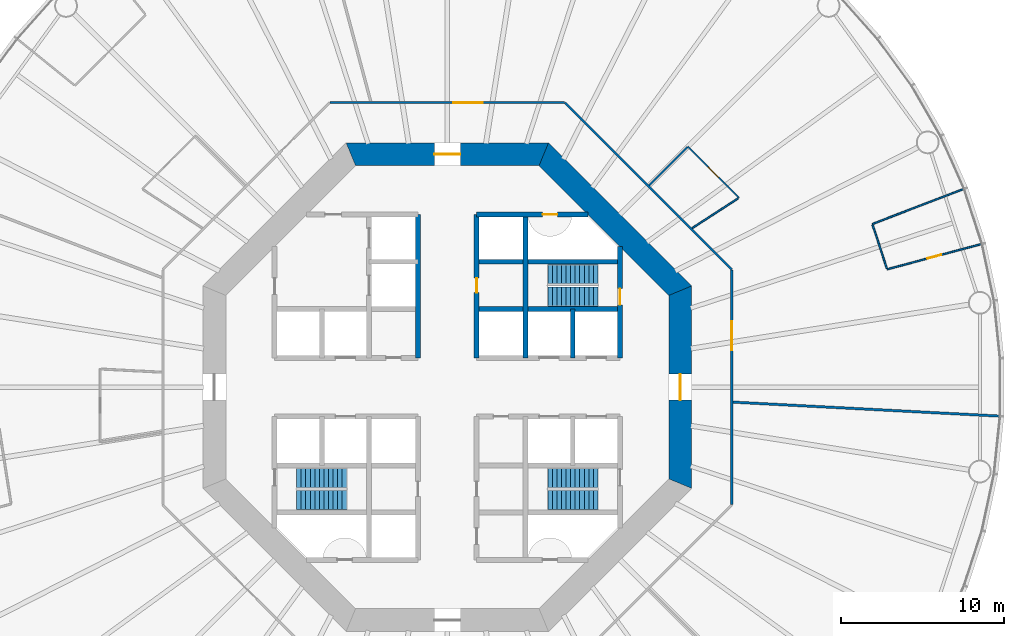
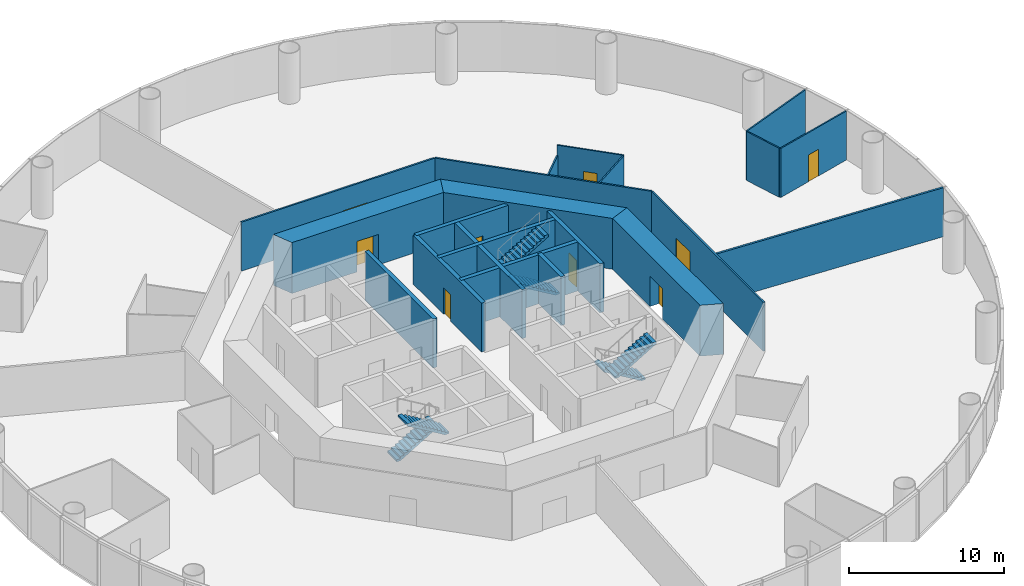
# One storey, part 5 of 12: 21 walls, 9 doors, 6 stair flights, 9 openings, 3 elements without a shape of their own.
"""IFC4 building model written with IfcOpenShell, lengths in metres."""

from ifc_helpers import new_model, si_unit, direction, frame, frame_2d, origin, place, context, subcontext, project, spatial, polyline, rectangle, outline, extrude, material, layer, layer_set, type_object, element, fill, aggregate, save


model = new_model("IFC4")

# Units and contexts
model_context = context("Model", 3, precision=1e-05, world=origin(), true_north=direction((0.0, 1.0)))
body_context = subcontext(model_context, "Body", "Model", "MODEL_VIEW")
ifc_project = project(units=[si_unit("LENGTHUNIT", "METRE"), si_unit("AREAUNIT", "SQUARE_METRE"), si_unit("VOLUMEUNIT", "CUBIC_METRE"), si_unit("PLANEANGLEUNIT", "RADIAN"), si_unit("MASSUNIT", "GRAM", prefix="KILO")], contexts=[model_context])

# Site, building, storey
site_placement = place(None, origin())
site = spatial("IfcSite", under=ifc_project, at=site_placement, CompositionType="ELEMENT")
building_placement = place(site_placement, origin())
building = spatial("IfcBuilding", under=site, at=building_placement, Name="Entoto Ring Tower", CompositionType="ELEMENT")
storey_placement = place(building_placement, frame((0.0, 0.0, 66.0)))
storey = spatial("IfcBuildingStorey", under=building, at=storey_placement, Name="L14", CompositionType="ELEMENT", Elevation=66.0)

# Wall, opening, door
ifc_material_1 = material(Name="Concrete C40/50", Category="concrete")
ifc_layer_1 = layer(ifc_material_1, 0.300048828125)
ifc_layer_set_1 = layer_set([ifc_layer_1], Name="Concrete C40/50")
wall_type_1 = type_object("IfcWallType", Name="Core enclosure wall 300 mm reinforced concrete", PredefinedType="SOLIDWALL", material=ifc_layer_set_1)
wall_1_placement = place(storey_placement, frame((100.60009765625, 81.800048828125, 0.0), z_axis=(0.0, 0.0, 1.0), x_axis=(0.0, 1.0, 0.0)))
wall_1 = element("IfcWall", 1, at=wall_1_placement, inside=storey, type_object=wall_type_1, Name="wall-L14-002", PredefinedType="SOLIDWALL", context=body_context, shape_type="SweptSolid", body=[
    extrude(rectangle(XDim=6.833251953125, YDim=0.300048828125, at=frame_2d((3.41650390625, 0.0))), origin(), (0.0, 0.0, 1.0), 3.85009765625),
])
opening_1_placement = place(wall_1_placement, frame((3.25, 0.0, 0.0)))
opening_1 = element("IfcOpeningElement", 2, at=opening_1_placement, cuts=wall_1, Name="Opening K-17", PredefinedType="OPENING", context=body_context, shape_type="SweptSolid", body=[
    extrude(rectangle(XDim=1.0, YDim=2.10009765625, at=frame_2d((0.5, 1.050048828125))), frame((0.0, 0.16015625, 0.0), z_axis=(0.0, -1.0, 0.0), x_axis=(1.0, 0.0, 0.0)), (0.0, 0.0, 1.0), 0.320068359375),
])
ifc_material_2 = material(Name="Steel door leaf, fire rated", Category="steel")
ifc_layer_2 = layer(ifc_material_2, 0.050048828125)
ifc_layer_set_2 = layer_set([ifc_layer_2], Name="Steel door leaf, fire rated")
door_type_1 = type_object("IfcDoorType", Name="Fire door FD60 1000 x 2100 single leaf", OperationType="NOTDEFINED", PredefinedType="DOOR", material=ifc_layer_set_2)
door_1_placement = place(opening_1_placement, origin())
door_1 = element("IfcDoor", 3, at=door_1_placement, inside=storey, type_object=door_type_1, Name="Door K-17", OperationType="SINGLE_SWING_LEFT", OverallHeight=2.10009765625, OverallWidth=1.0, PredefinedType="DOOR", context=body_context, shape_type="SweptSolid", body=[
    extrude(rectangle(XDim=1.0, YDim=2.10009765625, at=frame_2d((0.5, 1.050048828125))), frame((0.0, 0.02490234375, 0.0), z_axis=(0.0, -1.0, 0.0), x_axis=(1.0, 0.0, 0.0)), (0.0, 0.0, 1.0), 0.050048828125),
])
fill(opening_1, door_1)

# Walls
wall_2_placement = place(storey_placement, frame((97.699951171875, 81.800048828125, 0.0), z_axis=(0.0, 0.0, 1.0), x_axis=(0.0, 1.0, 0.0)))
element("IfcWall", 4, at=wall_2_placement, inside=storey, type_object=wall_type_1, Name="wall-L14-004", PredefinedType="SOLIDWALL", context=body_context, shape_type="SweptSolid", body=[
    extrude(rectangle(XDim=3.0, YDim=0.300048828125, at=frame_2d((1.5, 0.0))), origin(), (0.0, 0.0, 1.0), 3.85009765625),
])
wall_3_placement = place(storey_placement, frame((94.800048828125, 81.800048828125, 0.0), z_axis=(0.0, 0.0, 1.0), x_axis=(0.0, 1.0, 0.0)))
element("IfcWall", 5, at=wall_3_placement, inside=storey, type_object=wall_type_1, Name="wall-L14-006", PredefinedType="SOLIDWALL", context=body_context, shape_type="SweptSolid", body=[
    extrude(rectangle(XDim=8.800048828125, YDim=0.300048828125, at=frame_2d((4.39990234375, 0.0))), origin(), (0.0, 0.0, 1.0), 3.85009765625),
])

# Wall, opening, door
wall_4_placement = place(storey_placement, frame((91.800048828125, 81.800048828125, 0.0), z_axis=(0.0, 0.0, 1.0), x_axis=(0.0, 1.0, 0.0)))
wall_4 = element("IfcWall", 6, at=wall_4_placement, inside=storey, type_object=wall_type_1, Name="wall-L14-008", PredefinedType="SOLIDWALL", context=body_context, shape_type="SweptSolid", body=[
    extrude(rectangle(XDim=8.800048828125, YDim=0.300048828125, at=frame_2d((4.39990234375, 0.0))), origin(), (0.0, 0.0, 1.0), 3.85009765625),
])
opening_2_placement = place(wall_4_placement, frame((4.0, 0.0, 0.0)))
opening_2 = element("IfcOpeningElement", 7, at=opening_2_placement, cuts=wall_4, Name="Opening K-11", PredefinedType="OPENING", context=body_context, shape_type="SweptSolid", body=[
    extrude(rectangle(XDim=0.89990234375, YDim=2.10009765625, at=frame_2d((0.449951171875, 1.050048828125))), frame((0.0, 0.16015625, 0.0), z_axis=(0.0, -1.0, 0.0), x_axis=(1.0, 0.0, 0.0)), (0.0, 0.0, 1.0), 0.320068359375),
])
ifc_material_3 = material(Name="Steel door leaf, fire rated", Category="steel")
ifc_layer_3 = layer(ifc_material_3, 0.050048828125)
ifc_layer_set_3 = layer_set([ifc_layer_3], Name="Steel door leaf, fire rated")
door_type_2 = type_object("IfcDoorType", Name="Core door 900 x 2100 single leaf", OperationType="NOTDEFINED", PredefinedType="DOOR", material=ifc_layer_set_3)
door_2_placement = place(opening_2_placement, origin())
door_2 = element("IfcDoor", 8, at=door_2_placement, inside=storey, type_object=door_type_2, Name="Door K-11", OperationType="SINGLE_SWING_RIGHT", OverallHeight=2.10009765625, OverallWidth=0.89990234375, PredefinedType="DOOR", context=body_context, shape_type="SweptSolid", body=[
    extrude(rectangle(XDim=0.89990234375, YDim=2.10009765625, at=frame_2d((0.449951171875, 1.050048828125))), frame((0.0, 0.02490234375, 0.0), z_axis=(0.0, -1.0, 0.0), x_axis=(1.0, 0.0, 0.0)), (0.0, 0.0, 1.0), 0.050048828125),
])
fill(opening_2, door_2)

# Walls
for number, where, z_axis, x_axis, name in (
    (9, (88.199951171875, 81.800048828125, 0.0), (0.0, 0.0, 1.0), (0.0, 1.0, 0.0), "wall-L14-010"),
    (10, (91.800048828125, 84.800048828125, 0.0), (0.0, 0.0, 1.0), (1.0, 0.0, 0.0), "wall-L14-028"),
    (11, (91.800048828125, 87.699951171875, 0.0), (0.0, 0.0, 1.0), (1.0, 0.0, 0.0), "wall-L14-030"),
):
    element("IfcWall", number, at=place(storey_placement, frame(where, z_axis=z_axis, x_axis=x_axis)), inside=storey, type_object=wall_type_1, Name=name, PredefinedType="SOLIDWALL", context=body_context, shape_type="SweptSolid", body=[
        extrude(rectangle(XDim=8.800048828125, YDim=0.300048828125, at=frame_2d((4.39990234375, 0.0))), origin(), (0.0, 0.0, 1.0), 3.85009765625),
    ])

# Wall, opening, door
wall_5_placement = place(storey_placement, frame((91.800048828125, 90.60009765625, 0.0), z_axis=(0.0, 0.0, 1.0), x_axis=(1.0, 0.0, 0.0)))
wall_5 = element("IfcWall", 12, at=wall_5_placement, inside=storey, type_object=wall_type_1, Name="wall-L14-032", PredefinedType="SOLIDWALL", context=body_context, shape_type="SweptSolid", body=[
    extrude(rectangle(XDim=6.833251953125, YDim=0.300048828125, at=frame_2d((3.41650390625, 0.0))), origin(), (0.0, 0.0, 1.0), 3.85009765625),
])
opening_3_placement = place(wall_5_placement, frame((4.050048828125, 0.0, 0.0)))
opening_3 = element("IfcOpeningElement", 13, at=opening_3_placement, cuts=wall_5, Name="Opening K-20", PredefinedType="OPENING", context=body_context, shape_type="SweptSolid", body=[
    extrude(rectangle(XDim=0.89990234375, YDim=2.10009765625, at=frame_2d((0.449951171875, 1.050048828125))), frame((0.0, 0.16015625, 0.0), z_axis=(0.0, -1.0, 0.0), x_axis=(1.0, 0.0, 0.0)), (0.0, 0.0, 1.0), 0.320068359375),
])
ifc_material_4 = material(Name="Steel door leaf, fire rated", Category="steel")
ifc_layer_4 = layer(ifc_material_4, 0.050048828125)
ifc_layer_set_4 = layer_set([ifc_layer_4], Name="Steel door leaf, fire rated")
door_type_3 = type_object("IfcDoorType", Name="Riser door FD60 900 x 2100 single leaf", OperationType="NOTDEFINED", PredefinedType="DOOR", material=ifc_layer_set_4)
door_3_placement = place(opening_3_placement, frame((0.89990234375, 0.0, 0.0), z_axis=(0.0, 0.0, 1.0), x_axis=(-1.0, 0.0, 0.0)))
door_3 = element("IfcDoor", 14, at=door_3_placement, inside=storey, type_object=door_type_3, Name="Door K-20", OperationType="SINGLE_SWING_RIGHT", OverallHeight=2.10009765625, OverallWidth=0.89990234375, PredefinedType="DOOR", context=body_context, shape_type="SweptSolid", body=[
    extrude(rectangle(XDim=0.89990234375, YDim=2.10009765625, at=frame_2d((0.449951171875, 1.050048828125))), frame((0.0, 0.02490234375, 0.0), z_axis=(0.0, -1.0, 0.0), x_axis=(1.0, 0.0, 0.0)), (0.0, 0.0, 1.0), 0.050048828125),
])
fill(opening_3, door_3)

ifc_material_5 = material(Name="Concrete C60/75", Category="concrete")
ifc_layer_5 = layer(ifc_material_5, 1.39990234375)
ifc_layer_set_5 = layer_set([ifc_layer_5], Name="Concrete C60/75")
wall_type_2 = type_object("IfcWallType", Name="Core shear wall 1400 mm reinforced concrete C60/75", PredefinedType="SHEAR", material=ifc_layer_set_5)
wall_6_placement = place(storey_placement, frame((104.300048828125, 74.07666015625, 0.0), z_axis=(0.0, 0.0, 1.0), x_axis=(0.0, 1.0, 0.0)))
wall_6 = element("IfcWall", 15, at=wall_6_placement, inside=storey, type_object=wall_type_2, Name="wall-L14-core-0", PredefinedType="SHEAR", context=body_context, shape_type="SweptSolid", body=[
    extrude(outline(polyline([(-0.2900390625, -0.699951171875), (12.13671875, -0.699951171875), (11.556640625, 0.699951171875), (0.2900390625, 0.699951171875), (-0.2900390625, -0.699951171875)])), origin(), (0.0, 0.0, 1.0), 4.0),
])
opening_4_placement = place(wall_6_placement, frame((5.123291015625, 0.0, 0.0)))
opening_4 = element("IfcOpeningElement", 16, at=opening_4_placement, cuts=wall_6, Name="Opening K-01", PredefinedType="OPENING", context=body_context, shape_type="SweptSolid", body=[
    extrude(rectangle(XDim=1.60009765625, YDim=2.39990234375, at=frame_2d((0.800048828125, 1.199951171875))), frame((0.0, 0.7099609375, 0.0), z_axis=(0.0, -1.0, 0.0), x_axis=(1.0, 0.0, 0.0)), (0.0, 0.0, 1.0), 1.419921875),
])
ifc_material_6 = material(Name="Steel door leaf, fire rated", Category="steel")
ifc_layer_6 = layer(ifc_material_6, 0.050048828125)
ifc_layer_set_6 = layer_set([ifc_layer_6], Name="Steel door leaf, fire rated")
door_type_4 = type_object("IfcDoorType", Name="Entrance door FD60 1600 x 2400 double leaf", OperationType="DOUBLE_DOOR_SINGLE_SWING", PredefinedType="DOOR", material=ifc_layer_set_6)
door_4_placement = place(opening_4_placement, origin())
door_4 = element("IfcDoor", 17, at=door_4_placement, inside=storey, type_object=door_type_4, Name="Entrance door K-01", OperationType="DOUBLE_DOOR_SINGLE_SWING", OverallHeight=2.39990234375, OverallWidth=1.60009765625, PredefinedType="DOOR", context=body_context, shape_type="SweptSolid", body=[
    extrude(rectangle(XDim=1.60009765625, YDim=2.39990234375, at=frame_2d((0.800048828125, 1.199951171875))), frame((0.0, 0.02490234375, 0.0), z_axis=(0.0, -1.0, 0.0), x_axis=(1.0, 0.0, 0.0)), (0.0, 0.0, 1.0), 0.050048828125),
])
fill(opening_4, door_4)

# Wall
wall_7_placement = place(storey_placement, frame((104.300048828125, 85.92333984375, 0.0), z_axis=(0.0, 0.0, 1.0), x_axis=(-0.707106781187, 0.707106781187, 0.0)))
element("IfcWall", 18, at=wall_7_placement, inside=storey, type_object=wall_type_2, Name="wall-L14-core-1", PredefinedType="SHEAR", context=body_context, shape_type="SweptSolid", body=[
    extrude(outline(polyline([(-0.2900390625, -0.699951171875), (12.136474609375, -0.699951171875), (11.556396484375, 0.699951171875), (0.2900390625, 0.699951171875), (-0.2900390625, -0.699951171875)])), origin(), (0.0, 0.0, 1.0), 4.0),
])

# Wall, opening, door
wall_8_placement = place(storey_placement, frame((95.92333984375, 94.300048828125, 0.0), z_axis=(0.0, 0.0, 1.0), x_axis=(-1.0, 0.0, 0.0)))
wall_8 = element("IfcWall", 19, at=wall_8_placement, inside=storey, type_object=wall_type_2, Name="wall-L14-core-2", PredefinedType="SHEAR", context=body_context, shape_type="SweptSolid", body=[
    extrude(outline(polyline([(-0.2900390625, -0.699951171875), (12.13671875, -0.699951171875), (11.556640625, 0.699951171875), (0.2900390625, 0.699951171875), (-0.2900390625, -0.699951171875)])), origin(), (0.0, 0.0, 1.0), 4.0),
])
opening_5_placement = place(wall_8_placement, frame((5.123291015625, 0.0, 0.0)))
opening_5 = element("IfcOpeningElement", 20, at=opening_5_placement, cuts=wall_8, Name="Opening K-02", PredefinedType="OPENING", context=body_context, shape_type="SweptSolid", body=[
    extrude(rectangle(XDim=1.60009765625, YDim=2.39990234375, at=frame_2d((0.800048828125, 1.199951171875))), frame((0.0, 0.7099609375, 0.0), z_axis=(0.0, -1.0, 0.0), x_axis=(1.0, 0.0, 0.0)), (0.0, 0.0, 1.0), 1.419921875),
])
door_5_placement = place(opening_5_placement, origin())
door_5 = element("IfcDoor", 21, at=door_5_placement, inside=storey, type_object=door_type_4, Name="Entrance door K-02", OperationType="DOUBLE_DOOR_SINGLE_SWING", OverallHeight=2.39990234375, OverallWidth=1.60009765625, PredefinedType="DOOR", context=body_context, shape_type="SweptSolid", body=[
    extrude(rectangle(XDim=1.60009765625, YDim=2.39990234375, at=frame_2d((0.800048828125, 1.199951171875))), frame((0.0, 0.02490234375, 0.0), z_axis=(0.0, -1.0, 0.0), x_axis=(1.0, 0.0, 0.0)), (0.0, 0.0, 1.0), 0.050048828125),
])
fill(opening_5, door_5)

# Wall
ifc_material_7 = material(Name="Fire-resisting plasterboard on steel studs", Category="steel")
ifc_layer_7 = layer(ifc_material_7, 0.125)
ifc_layer_set_7 = layer_set([ifc_layer_7], Name="Fire-resisting plasterboard on steel studs")
wall_type_3 = type_object("IfcWallType", Name="Corridor wall 125 mm one-hour plasterboard on steel studs", PredefinedType="PARTITIONING", material=ifc_layer_set_7)
wall_9_placement = place(storey_placement, frame((107.46240234375, 87.233154296875, 0.0), z_axis=(0.0, 0.0, 1.0), x_axis=(-0.707106781187, 0.707106781187, 0.0)))
element("IfcWall", 22, at=wall_9_placement, inside=storey, type_object=wall_type_3, Name="partition-L14-004", PredefinedType="PARTITIONING", context=body_context, shape_type="SweptSolid", body=[
    extrude(rectangle(XDim=14.46630859375, YDim=0.125, at=frame_2d((7.233154296875, 0.0))), origin(), (0.0, 0.0, 1.0), 3.85009765625),
])

# Wall, opening, door
wall_10_placement = place(storey_placement, frame((82.810791015625, 97.46240234375, 0.0), z_axis=(0.0, 0.0, 1.0), x_axis=(1.0, 0.0, 0.0)))
wall_10 = element("IfcWall", 23, at=wall_10_placement, inside=storey, type_object=wall_type_3, Name="partition-L14-007", PredefinedType="PARTITIONING", context=body_context, shape_type="SweptSolid", body=[
    extrude(rectangle(XDim=14.37841796875, YDim=0.125, at=frame_2d((7.189208984375, 0.0))), origin(), (0.0, 0.0, 1.0), 3.85009765625),
])
opening_6_placement = place(wall_10_placement, frame((7.566162109375, 0.0, 0.0)))
opening_6 = element("IfcOpeningElement", 24, at=opening_6_placement, cuts=wall_10, Name="Opening A06-D01", PredefinedType="OPENING", context=body_context, shape_type="SweptSolid", body=[
    extrude(rectangle(XDim=1.800048828125, YDim=2.10009765625, at=frame_2d((0.89990234375, 1.050048828125))), frame((0.0, 0.072509765625, 0.0), z_axis=(0.0, -1.0, 0.0), x_axis=(1.0, 0.0, 0.0)), (0.0, 0.0, 1.0), 0.14501953125),
])
ifc_material_8 = material(Name="Fire-resisting timber door set", Category="wood")
door_type_5 = type_object("IfcDoorType", Name="Door 1800 x 2100 double leaf FD30S fire door", OperationType="DOUBLE_DOOR_SINGLE_SWING", PredefinedType="DOOR", material=ifc_material_8)
door_6_placement = place(opening_6_placement, frame((1.800048828125, 0.0, 0.0), z_axis=(0.0, 0.0, 1.0), x_axis=(-1.0, 0.0, 0.0)))
door_6 = element("IfcDoor", 25, at=door_6_placement, inside=storey, type_object=door_type_5, Name="Door A06-D01", OperationType="DOUBLE_DOOR_SINGLE_SWING", OverallHeight=2.10009765625, OverallWidth=1.800048828125, PredefinedType="DOOR", context=body_context, shape_type="SweptSolid", body=[
    extrude(rectangle(XDim=1.800048828125, YDim=2.10009765625, at=frame_2d((0.89990234375, 1.050048828125))), frame((0.0, 0.02490234375, 0.0), z_axis=(0.0, -1.0, 0.0), x_axis=(1.0, 0.0, 0.0)), (0.0, 0.0, 1.0), 0.050048828125),
])
fill(opening_6, door_6)

wall_11_placement = place(storey_placement, frame((107.46240234375, 72.810791015625, 0.0), z_axis=(0.0, 0.0, 1.0), x_axis=(0.0, 1.0, 0.0)))
wall_11 = element("IfcWall", 26, at=wall_11_placement, inside=storey, type_object=wall_type_3, Name="partition-L14-008", PredefinedType="PARTITIONING", context=body_context, shape_type="SweptSolid", body=[
    extrude(rectangle(XDim=14.37841796875, YDim=0.125, at=frame_2d((7.189208984375, 0.0))), origin(), (0.0, 0.0, 1.0), 3.85009765625),
])
opening_7_placement = place(wall_11_placement, frame((9.4482421875, 0.0, 0.0)))
opening_7 = element("IfcOpeningElement", 27, at=opening_7_placement, cuts=wall_11, Name="Opening A06-D02", PredefinedType="OPENING", context=body_context, shape_type="SweptSolid", body=[
    extrude(rectangle(XDim=1.800048828125, YDim=2.10009765625, at=frame_2d((0.89990234375, 1.050048828125))), frame((0.0, 0.072509765625, 0.0), z_axis=(0.0, -1.0, 0.0), x_axis=(1.0, 0.0, 0.0)), (0.0, 0.0, 1.0), 0.14501953125),
])
door_7_placement = place(opening_7_placement, origin())
door_7 = element("IfcDoor", 28, at=door_7_placement, inside=storey, type_object=door_type_5, Name="Door A06-D02", OperationType="DOUBLE_DOOR_SINGLE_SWING", OverallHeight=2.10009765625, OverallWidth=1.800048828125, PredefinedType="DOOR", context=body_context, shape_type="SweptSolid", body=[
    extrude(rectangle(XDim=1.800048828125, YDim=2.10009765625, at=frame_2d((0.89990234375, 1.050048828125))), frame((0.0, 0.02490234375, 0.0), z_axis=(0.0, -1.0, 0.0), x_axis=(1.0, 0.0, 0.0)), (0.0, 0.0, 1.0), 0.050048828125),
])
fill(opening_7, door_7)

ifc_material_9 = material(Name="Plasterboard on steel studs", Category="steel")
ifc_layer_8 = layer(ifc_material_9, 0.10009765625)
ifc_layer_set_8 = layer_set([ifc_layer_8], Name="Plasterboard on steel studs")
wall_type_4 = type_object("IfcWallType", Name="Partition 100 mm plasterboard on steel studs", PredefinedType="PARTITIONING", material=ifc_layer_set_8)
wall_12_placement = place(storey_placement, frame((116.99755859375, 87.23388671875, 0.0), z_axis=(0.0, 0.0, 1.0), x_axis=(0.965927129635, 0.258814180901, 0.0)))
wall_12 = element("IfcWall", 29, at=wall_12_placement, inside=storey, type_object=wall_type_4, Name="partition-L14-017", PredefinedType="PARTITIONING", context=body_context, shape_type="SweptSolid", body=[
    extrude(rectangle(XDim=5.989990234375, YDim=0.10009765625, at=frame_2d((2.9951171875, 0.0))), origin(), (0.0, 0.0, 1.0), 3.85009765625),
])
opening_8_placement = place(wall_12_placement, frame((2.544921875, 0.0, 0.0)))
opening_8 = element("IfcOpeningElement", 30, at=opening_8_placement, cuts=wall_12, Name="Opening A06-D04", PredefinedType="OPENING", context=body_context, shape_type="SweptSolid", body=[
    extrude(rectangle(XDim=0.89990234375, YDim=2.10009765625, at=frame_2d((0.449951171875, 1.050048828125))), frame((0.0, 0.06005859375, 0.0), z_axis=(0.0, -1.0, 0.0), x_axis=(1.0, 0.0, 0.0)), (0.0, 0.0, 1.0), 0.1201171875),
])
ifc_material_10 = material(Name="Veneered timber door leaf in timber frame", Category="wood")
door_type_6 = type_object("IfcDoorType", Name="Door 900 x 2100 single leaf timber veneer", OperationType="NOTDEFINED", PredefinedType="DOOR", material=ifc_material_10)
door_8_placement = place(opening_8_placement, origin())
door_8 = element("IfcDoor", 31, at=door_8_placement, inside=storey, type_object=door_type_6, Name="Door A06-D04", OperationType="SINGLE_SWING_RIGHT", OverallHeight=2.10009765625, OverallWidth=0.89990234375, PredefinedType="DOOR", context=body_context, shape_type="SweptSolid", body=[
    extrude(rectangle(XDim=0.89990234375, YDim=2.10009765625, at=frame_2d((0.449951171875, 1.050048828125))), frame((0.0, 0.02490234375, 0.0), z_axis=(0.0, -1.0, 0.0), x_axis=(1.0, 0.0, 0.0)), (0.0, 0.0, 1.0), 0.050048828125),
])
fill(opening_8, door_8)

# Wall
wall_13_placement = place(storey_placement, frame((116.093505859375, 90.016357421875, 0.0), z_axis=(0.0, 0.0, 1.0), x_axis=(0.933577557302, 0.358375423966, 0.0)))
element("IfcWall", 32, at=wall_13_placement, inside=storey, type_object=wall_type_4, Name="partition-L14-018", PredefinedType="PARTITIONING", context=body_context, shape_type="SweptSolid", body=[
    extrude(rectangle(XDim=5.990234375, YDim=0.10009765625, at=frame_2d((2.9951171875, 0.0))), origin(), (0.0, 0.0, 1.0), 3.85009765625),
])

# Wall, opening, door
wall_14_placement = place(storey_placement, frame((107.90478515625, 91.62744140625, 0.0), z_axis=(0.0, 0.0, 1.0), x_axis=(-0.707106781187, 0.707106781187, 0.0)))
wall_14 = element("IfcWall", 33, at=wall_14_placement, inside=storey, type_object=wall_type_4, Name="partition-L14-029", PredefinedType="PARTITIONING", context=body_context, shape_type="SweptSolid", body=[
    extrude(rectangle(XDim=4.438720703125, YDim=0.10009765625, at=frame_2d((2.21923828125, 0.0))), origin(), (0.0, 0.0, 1.0), 3.85009765625),
])
opening_9_placement = place(wall_14_placement, frame((1.769287109375, 0.0, 0.0)))
opening_9 = element("IfcOpeningElement", 34, at=opening_9_placement, cuts=wall_14, Name="Opening A06-D03", PredefinedType="OPENING", context=body_context, shape_type="SweptSolid", body=[
    extrude(rectangle(XDim=0.89990234375, YDim=2.10009765625, at=frame_2d((0.449951171875, 1.050048828125))), frame((0.0, 0.06005859375, 0.0), z_axis=(0.0, -1.0, 0.0), x_axis=(1.0, 0.0, 0.0)), (0.0, 0.0, 1.0), 0.1201171875),
])
door_9_placement = place(opening_9_placement, origin())
door_9 = element("IfcDoor", 35, at=door_9_placement, inside=storey, type_object=door_type_6, Name="Door A06-D03", OperationType="SINGLE_SWING_LEFT", OverallHeight=2.10009765625, OverallWidth=0.89990234375, PredefinedType="DOOR", context=body_context, shape_type="SweptSolid", body=[
    extrude(rectangle(XDim=0.89990234375, YDim=2.10009765625, at=frame_2d((0.449951171875, 1.050048828125))), frame((0.0, 0.02490234375, 0.0), z_axis=(0.0, -1.0, 0.0), x_axis=(1.0, 0.0, 0.0)), (0.0, 0.0, 1.0), 0.050048828125),
])
fill(opening_9, door_9)

# Walls
wall_15_placement = place(storey_placement, frame((105.034912109375, 89.763916015625, 0.0), z_axis=(0.0, 0.0, 1.0), x_axis=(0.838674279893, 0.544633319075, 0.0)))
element("IfcWall", 36, at=wall_15_placement, inside=storey, type_object=wall_type_4, Name="partition-L14-033", PredefinedType="PARTITIONING", context=body_context, shape_type="SweptSolid", body=[
    extrude(rectangle(XDim=3.360107421875, YDim=0.10009765625, at=frame_2d((1.68017578125, 0.0))), origin(), (0.0, 0.0, 1.0), 3.85009765625),
])
wall_16_placement = place(storey_placement, frame((116.982177734375, 87.281494140625, 0.0), z_axis=(0.0, 0.0, 1.0), x_axis=(-0.30903918652, 0.951049305344, 0.0)))
element("IfcWall", 37, at=wall_16_placement, inside=storey, type_object=wall_type_4, Name="partition-L14-036", PredefinedType="PARTITIONING", context=body_context, shape_type="SweptSolid", body=[
    extrude(rectangle(XDim=2.825927734375, YDim=0.10009765625, at=frame_2d((1.4130859375, 0.0))), origin(), (0.0, 0.0, 1.0), 3.85009765625),
])
ifc_material_11 = material(Name="Plasterboard on steel studs", Category="steel")
ifc_layer_9 = layer(ifc_material_11, 0.10009765625)
ifc_layer_set_9 = layer_set([ifc_layer_9], Name="Plasterboard on steel studs")
wall_type_5 = type_object("IfcWallType", Name="Partition 100 mm plasterboard on steel studs, 3050 mm high", PredefinedType="PARTITIONING", material=ifc_layer_set_9)
wall_17_placement = place(storey_placement, frame((102.39208984375, 92.39208984375, 0.0), z_axis=(0.0, 0.0, 1.0), x_axis=(0.707106781187, 0.707106781187, 0.0)))
element("IfcWall", 38, at=wall_17_placement, inside=storey, type_object=wall_type_5, Name="partition-L14-034", PredefinedType="PARTITIONING", context=body_context, shape_type="SweptSolid", body=[
    extrude(rectangle(XDim=3.307373046875, YDim=0.10009765625, at=frame_2d((1.65380859375, 0.0))), origin(), (0.0, 0.0, 1.0), 3.050048828125),
])
ifc_material_12 = material(Name="Fire-resisting acoustic plasterboard on steel studs", Category="steel")
ifc_layer_10 = layer(ifc_material_12, 0.14990234375)
ifc_layer_set_10 = layer_set([ifc_layer_10], Name="Fire-resisting acoustic plasterboard on steel studs")
wall_type_6 = type_object("IfcWallType", Name="Party wall 150 mm one-hour acoustic plasterboard on steel studs", PredefinedType="PARTITIONING", material=ifc_layer_set_10)
wall_18_placement = place(storey_placement, frame((123.8935546875, 78.2236328125, 0.0), z_axis=(0.0, 0.0, 1.0), x_axis=(-0.998629451785, 0.052337539372, 0.0)))
element("IfcWall", 39, at=wall_18_placement, inside=storey, type_object=wall_type_6, Name="partition-L14-010", PredefinedType="PARTITIONING", context=body_context, shape_type="SweptSolid", body=[
    extrude(rectangle(XDim=16.38720703125, YDim=0.14990234375, at=frame_2d((8.193603515625, 0.0))), origin(), (0.0, 0.0, 1.0), 3.85009765625),
])

# Stair, stair flights
ifc_material_13 = material(Name="Concrete C40/50", Category="concrete")
stair_type = type_object("IfcStairType", Name="Exit stair 1200 mm dog-leg reinforced concrete", PredefinedType="HALF_TURN_STAIR", material=ifc_material_13)
stair_1_placement = place(storey_placement, origin())
stair_1 = element("IfcStair", 40, at=stair_1_placement, inside=storey, type_object=stair_type, Name="Exit stair 1", PredefinedType="HALF_TURN_STAIR")
ifc_material_14 = material(Name="Concrete C40/50", Category="concrete")
stair_flight_type = type_object("IfcStairFlightType", Name="Stair flight 1200 mm reinforced concrete", PredefinedType="STRAIGHT", material=ifc_material_14)
stair_flight_1_placement = place(storey_placement, frame((99.25, 85.550048828125, 0.0), z_axis=(0.0, 0.0, 1.0), x_axis=(-1.0, 0.0, 0.0)))
stair_flight_1 = element("IfcStairFlight", 41, at=stair_flight_1_placement, type_object=stair_flight_type, Name="ST1 flight 1", NumberOfRisers=12, NumberOfTreads=11, PredefinedType="STRAIGHT", RiserHeight=0.166666667, TreadLength=0.28, context=body_context, shape_type="SweptSolid", body=[
    extrude(outline(polyline([(0.0, 0.0), (0.0, 0.166748046875), (0.280029296875, 0.166748046875), (0.280029296875, 0.333251953125), (0.56005859375, 0.333251953125), (0.56005859375, 0.5), (0.840087890625, 0.5), (0.840087890625, 0.666748046875), (1.1201171875, 0.666748046875), (1.1201171875, 0.833251953125), (1.39990234375, 0.833251953125), (1.39990234375, 1.0), (1.679931640625, 1.0), (1.679931640625, 1.166748046875), (1.9599609375, 1.166748046875), (1.9599609375, 1.333251953125), (2.239990234375, 1.333251953125), (2.239990234375, 1.5), (2.52001953125, 1.5), (2.52001953125, 1.666748046875), (2.800048828125, 1.666748046875), (2.800048828125, 1.833251953125), (3.080078125, 1.833251953125), (3.080078125, 2.0), (3.080078125, 1.658935546875), (0.29296875, 0.0), (0.0, 0.0)])), frame((0.0, 0.60009765625, 0.0), z_axis=(0.0, -1.0, 0.0), x_axis=(1.0, 0.0, 0.0)), (0.0, 0.0, 1.0), 1.199951171875),
])
stair_flight_2_placement = place(storey_placement, frame((96.169921875, 86.949951171875, 2.0), z_axis=(0.0, 0.0, 1.0), x_axis=(1.0, 0.0, 0.0)))
stair_flight_2 = element("IfcStairFlight", 42, at=stair_flight_2_placement, type_object=stair_flight_type, Name="ST1 flight 2", NumberOfRisers=12, NumberOfTreads=11, PredefinedType="STRAIGHT", RiserHeight=0.166666667, TreadLength=0.28, context=body_context, shape_type="SweptSolid", body=[
    extrude(outline(polyline([(0.0, 0.0), (0.0, 0.166748046875), (0.280029296875, 0.166748046875), (0.280029296875, 0.333251953125), (0.56005859375, 0.333251953125), (0.56005859375, 0.5), (0.840087890625, 0.5), (0.840087890625, 0.666748046875), (1.1201171875, 0.666748046875), (1.1201171875, 0.833251953125), (1.39990234375, 0.833251953125), (1.39990234375, 1.0), (1.679931640625, 1.0), (1.679931640625, 1.166748046875), (1.9599609375, 1.166748046875), (1.9599609375, 1.333251953125), (2.239990234375, 1.333251953125), (2.239990234375, 1.5), (2.52001953125, 1.5), (2.52001953125, 1.666748046875), (2.800048828125, 1.666748046875), (2.800048828125, 1.833251953125), (3.080078125, 1.833251953125), (3.080078125, 2.0), (3.080078125, 1.658935546875), (0.29296875, 0.0), (0.0, 0.0)])), frame((0.0, 0.60009765625, 0.0), z_axis=(0.0, -1.0, 0.0), x_axis=(1.0, 0.0, 0.0)), (0.0, 0.0, 1.0), 1.199951171875),
])
aggregate(stair_1, [stair_flight_1, stair_flight_2])

stair_2_placement = place(storey_placement, origin())
stair_2 = element("IfcStair", 43, at=stair_2_placement, inside=storey, type_object=stair_type, Name="Exit stair 2", PredefinedType="HALF_TURN_STAIR")
stair_flight_3_placement = place(storey_placement, frame((80.75, 74.449951171875, 0.0), z_axis=(0.0, 0.0, 1.0), x_axis=(1.0, 0.0, 0.0)))
stair_flight_3 = element("IfcStairFlight", 44, at=stair_flight_3_placement, type_object=stair_flight_type, Name="ST2 flight 1", NumberOfRisers=12, NumberOfTreads=11, PredefinedType="STRAIGHT", RiserHeight=0.166666667, TreadLength=0.28, context=body_context, shape_type="SweptSolid", body=[
    extrude(outline(polyline([(0.0, 0.0), (0.0, 0.166748046875), (0.280029296875, 0.166748046875), (0.280029296875, 0.333251953125), (0.56005859375, 0.333251953125), (0.56005859375, 0.5), (0.840087890625, 0.5), (0.840087890625, 0.666748046875), (1.1201171875, 0.666748046875), (1.1201171875, 0.833251953125), (1.39990234375, 0.833251953125), (1.39990234375, 1.0), (1.679931640625, 1.0), (1.679931640625, 1.166748046875), (1.9599609375, 1.166748046875), (1.9599609375, 1.333251953125), (2.239990234375, 1.333251953125), (2.239990234375, 1.5), (2.52001953125, 1.5), (2.52001953125, 1.666748046875), (2.800048828125, 1.666748046875), (2.800048828125, 1.833251953125), (3.080078125, 1.833251953125), (3.080078125, 2.0), (3.080078125, 1.658935546875), (0.29296875, 0.0), (0.0, 0.0)])), frame((0.0, 0.60009765625, 0.0), z_axis=(0.0, -1.0, 0.0), x_axis=(1.0, 0.0, 0.0)), (0.0, 0.0, 1.0), 1.199951171875),
])
stair_flight_4_placement = place(storey_placement, frame((83.830078125, 73.050048828125, 2.0), z_axis=(0.0, 0.0, 1.0), x_axis=(-1.0, 0.0, 0.0)))
stair_flight_4 = element("IfcStairFlight", 45, at=stair_flight_4_placement, type_object=stair_flight_type, Name="ST2 flight 2", NumberOfRisers=12, NumberOfTreads=11, PredefinedType="STRAIGHT", RiserHeight=0.166666667, TreadLength=0.28, context=body_context, shape_type="SweptSolid", body=[
    extrude(outline(polyline([(0.0, 0.0), (0.0, 0.166748046875), (0.280029296875, 0.166748046875), (0.280029296875, 0.333251953125), (0.56005859375, 0.333251953125), (0.56005859375, 0.5), (0.840087890625, 0.5), (0.840087890625, 0.666748046875), (1.1201171875, 0.666748046875), (1.1201171875, 0.833251953125), (1.39990234375, 0.833251953125), (1.39990234375, 1.0), (1.679931640625, 1.0), (1.679931640625, 1.166748046875), (1.9599609375, 1.166748046875), (1.9599609375, 1.333251953125), (2.239990234375, 1.333251953125), (2.239990234375, 1.5), (2.52001953125, 1.5), (2.52001953125, 1.666748046875), (2.800048828125, 1.666748046875), (2.800048828125, 1.833251953125), (3.080078125, 1.833251953125), (3.080078125, 2.0), (3.080078125, 1.658935546875), (0.29296875, 0.0), (0.0, 0.0)])), frame((0.0, 0.60009765625, 0.0), z_axis=(0.0, -1.0, 0.0), x_axis=(1.0, 0.0, 0.0)), (0.0, 0.0, 1.0), 1.199951171875),
])
aggregate(stair_2, [stair_flight_3, stair_flight_4])

stair_3_placement = place(storey_placement, origin())
stair_3 = element("IfcStair", 46, at=stair_3_placement, inside=storey, type_object=stair_type, Name="Exit stair 3", PredefinedType="HALF_TURN_STAIR")
stair_flight_5_placement = place(storey_placement, frame((99.25, 74.449951171875, 0.0), z_axis=(0.0, 0.0, 1.0), x_axis=(-1.0, 0.0, 0.0)))
stair_flight_5 = element("IfcStairFlight", 47, at=stair_flight_5_placement, type_object=stair_flight_type, Name="ST3 flight 1", NumberOfRisers=12, NumberOfTreads=11, PredefinedType="STRAIGHT", RiserHeight=0.166666667, TreadLength=0.28, context=body_context, shape_type="SweptSolid", body=[
    extrude(outline(polyline([(0.0, 0.0), (0.0, 0.166748046875), (0.280029296875, 0.166748046875), (0.280029296875, 0.333251953125), (0.56005859375, 0.333251953125), (0.56005859375, 0.5), (0.840087890625, 0.5), (0.840087890625, 0.666748046875), (1.1201171875, 0.666748046875), (1.1201171875, 0.833251953125), (1.39990234375, 0.833251953125), (1.39990234375, 1.0), (1.679931640625, 1.0), (1.679931640625, 1.166748046875), (1.9599609375, 1.166748046875), (1.9599609375, 1.333251953125), (2.239990234375, 1.333251953125), (2.239990234375, 1.5), (2.52001953125, 1.5), (2.52001953125, 1.666748046875), (2.800048828125, 1.666748046875), (2.800048828125, 1.833251953125), (3.080078125, 1.833251953125), (3.080078125, 2.0), (3.080078125, 1.658935546875), (0.29296875, 0.0), (0.0, 0.0)])), frame((0.0, 0.60009765625, 0.0), z_axis=(0.0, -1.0, 0.0), x_axis=(1.0, 0.0, 0.0)), (0.0, 0.0, 1.0), 1.199951171875),
])
stair_flight_6_placement = place(storey_placement, frame((96.169921875, 73.050048828125, 2.0), z_axis=(0.0, 0.0, 1.0), x_axis=(1.0, 0.0, 0.0)))
stair_flight_6 = element("IfcStairFlight", 48, at=stair_flight_6_placement, type_object=stair_flight_type, Name="ST3 flight 2", NumberOfRisers=12, NumberOfTreads=11, PredefinedType="STRAIGHT", RiserHeight=0.166666667, TreadLength=0.28, context=body_context, shape_type="SweptSolid", body=[
    extrude(outline(polyline([(0.0, 0.0), (0.0, 0.166748046875), (0.280029296875, 0.166748046875), (0.280029296875, 0.333251953125), (0.56005859375, 0.333251953125), (0.56005859375, 0.5), (0.840087890625, 0.5), (0.840087890625, 0.666748046875), (1.1201171875, 0.666748046875), (1.1201171875, 0.833251953125), (1.39990234375, 0.833251953125), (1.39990234375, 1.0), (1.679931640625, 1.0), (1.679931640625, 1.166748046875), (1.9599609375, 1.166748046875), (1.9599609375, 1.333251953125), (2.239990234375, 1.333251953125), (2.239990234375, 1.5), (2.52001953125, 1.5), (2.52001953125, 1.666748046875), (2.800048828125, 1.666748046875), (2.800048828125, 1.833251953125), (3.080078125, 1.833251953125), (3.080078125, 2.0), (3.080078125, 1.658935546875), (0.29296875, 0.0), (0.0, 0.0)])), frame((0.0, 0.60009765625, 0.0), z_axis=(0.0, -1.0, 0.0), x_axis=(1.0, 0.0, 0.0)), (0.0, 0.0, 1.0), 1.199951171875),
])
aggregate(stair_3, [stair_flight_5, stair_flight_6])

save(model, "model.ifc")
